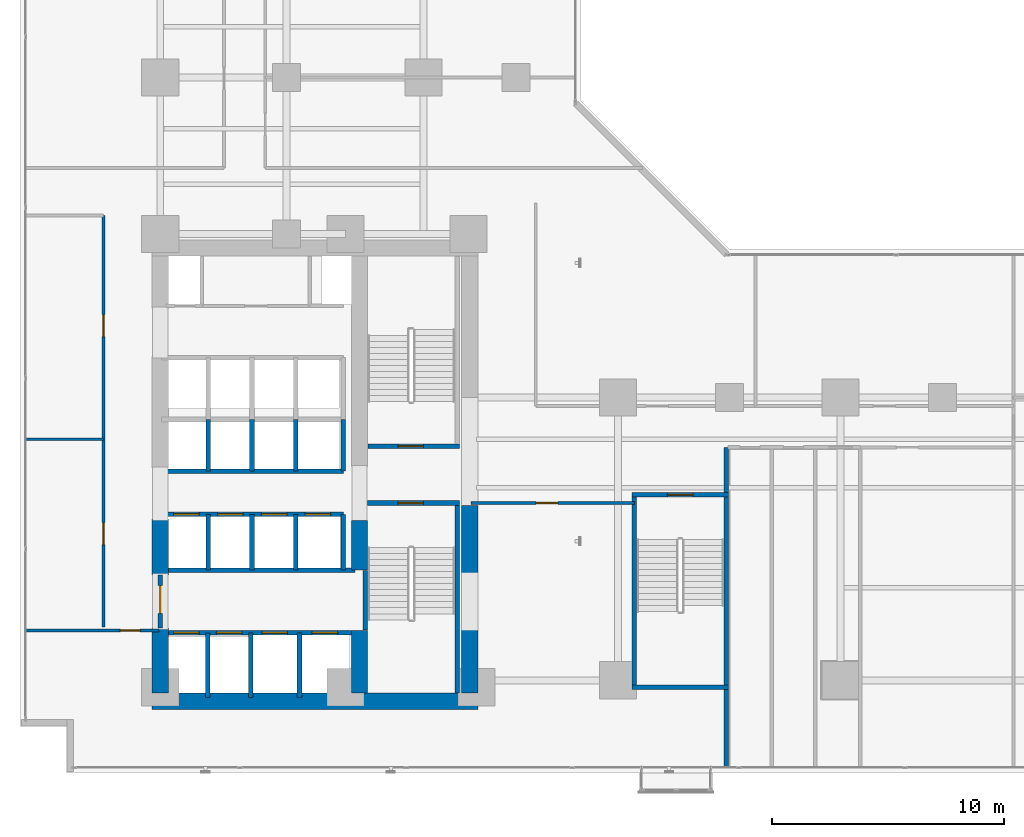
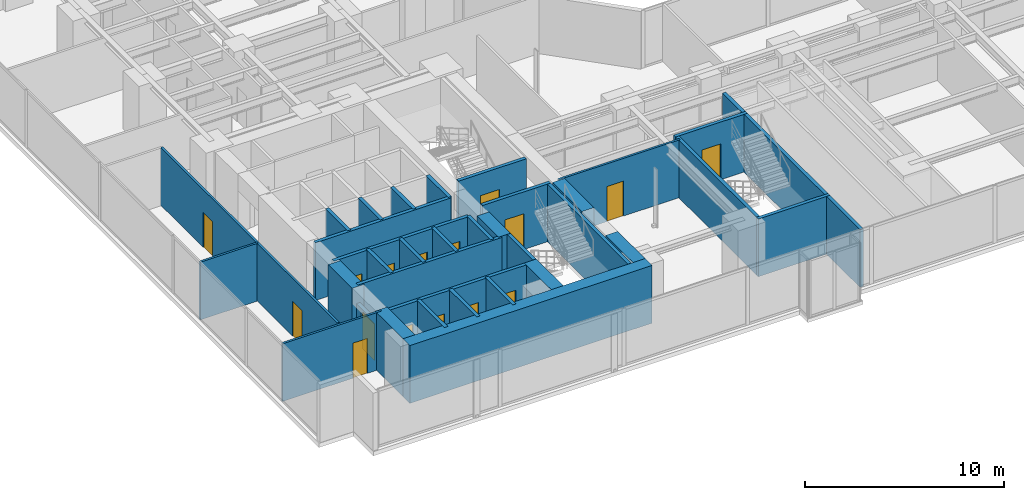
# One storey, part 22 of 27: 35 walls, 16 doors, 16 openings.
"""IFC4 building model written with IfcOpenShell, lengths in metres."""

from ifc_helpers import new_model, si_unit, direction, frame, frame_2d, origin, place, context, subcontext, project, spatial, rectangle, extrude, material, layer, layer_set, type_object, element, fill, save


model = new_model("IFC4")

# Units and contexts
model_context = context("Model", 3, precision=1e-05, world=origin(), true_north=direction((0.0, 1.0)))
body_context = subcontext(model_context, "Body", "Model", "MODEL_VIEW")
ifc_project = project(units=[si_unit("LENGTHUNIT", "METRE"), si_unit("AREAUNIT", "SQUARE_METRE"), si_unit("VOLUMEUNIT", "CUBIC_METRE"), si_unit("PLANEANGLEUNIT", "RADIAN"), si_unit("MASSUNIT", "GRAM", prefix="KILO")], contexts=[model_context])

# Site, building, storey
site_placement = place(None, origin())
site = spatial("IfcSite", under=ifc_project, at=site_placement, CompositionType="ELEMENT")
building_placement = place(site_placement, origin())
building = spatial("IfcBuilding", under=site, at=building_placement, Name="Kolvaren Waterfront Exchange", CompositionType="ELEMENT")
storey_placement = place(building_placement, frame((0.0, 0.0, 33.39990234375)))
storey = spatial("IfcBuildingStorey", under=building, at=storey_placement, Name="L08", CompositionType="ELEMENT", Elevation=33.39990234375)

# Wall, opening, door
ifc_material_1 = material(Name="Precast concrete C40/50", Category="concrete")
ifc_layer_1 = layer(ifc_material_1, 0.199951171875, Name="Precast concrete C40/50")
ifc_layer_set_1 = layer_set([ifc_layer_1], Name="Precast concrete C40/50")
wall_type_1 = type_object("IfcWallType", Name="ARC-FIRE-200", PredefinedType="PARTITIONING", material=ifc_layer_set_1)
wall_1_placement = place(storey_placement, frame((16.39990234375, 12.85009765625, 0.0), z_axis=(0.0, 0.0, 1.0), x_axis=(1.0, 0.0, 0.0)))
wall_1 = element("IfcWall", 1, at=wall_1_placement, inside=storey, type_object=wall_type_1, Name="L08 interior wall PW-L08-ST1-THROAT-S", PredefinedType="PARTITIONING", context=body_context, shape_type="SweptSolid", body=[
    extrude(rectangle(XDim=3.960205078125, YDim=0.199951171875, at=frame_2d((1.97998046875, 0.0))), origin(), (0.0, 0.0, 1.0), 3.5400390625),
])
opening_1_placement = place(wall_1_placement, frame((1.3037109375, 0.0, 0.0)))
opening_1 = element("IfcOpeningElement", 2, at=opening_1_placement, cuts=wall_1, Name="Opening FD2", PredefinedType="OPENING", context=body_context, shape_type="SweptSolid", body=[
    extrude(rectangle(XDim=1.10009765625, YDim=2.199951171875, at=frame_2d((0.550048828125, 1.10009765625))), frame((0.0, 0.10986328125, 0.0), z_axis=(0.0, -1.0, 0.0), x_axis=(1.0, 0.0, 0.0)), (0.0, 0.0, 1.0), 0.219970703125),
])
ifc_material_2 = material(Name="Pressed steel smoke-seal fire door", Category="steel")
door_type_1 = type_object("IfcDoorType", Name="ARC-FD-1100", OperationType="NOTDEFINED", PredefinedType="DOOR", material=ifc_material_2)
door_1_placement = place(opening_1_placement, frame((1.10009765625, 0.0, 0.0), z_axis=(0.0, 0.0, 1.0), x_axis=(-1.0, 0.0, 0.0)))
door_1 = element("IfcDoor", 3, at=door_1_placement, inside=storey, type_object=door_type_1, Name="L08 door DR-L08-ST1-IN (FD2)", OperationType="SINGLE_SWING_RIGHT", OverallHeight=2.199951171875, OverallWidth=1.10009765625, PredefinedType="DOOR", context=body_context, shape_type="SweptSolid", body=[
    extrude(rectangle(XDim=1.10009765625, YDim=2.199951171875, at=frame_2d((0.550048828125, 1.10009765625))), frame((0.0, 0.02490234375, 0.0), z_axis=(0.0, -1.0, 0.0), x_axis=(1.0, 0.0, 0.0)), (0.0, 0.0, 1.0), 0.050048828125),
])
fill(opening_1, door_1)

wall_2_placement = place(storey_placement, frame((16.409912109375, 15.300048828125, 0.0), z_axis=(0.0, 0.0, 1.0), x_axis=(1.0, 0.0, 0.0)))
wall_2 = element("IfcWall", 4, at=wall_2_placement, inside=storey, type_object=wall_type_1, Name="L08 interior wall PW-L08-ST2-THROAT-N", PredefinedType="PARTITIONING", context=body_context, shape_type="SweptSolid", body=[
    extrude(rectangle(XDim=3.9501953125, YDim=0.199951171875, at=frame_2d((1.97509765625, 0.0))), origin(), (0.0, 0.0, 1.0), 3.5400390625),
])
opening_2_placement = place(wall_2_placement, frame((1.293701171875, 0.0, 0.0)))
opening_2 = element("IfcOpeningElement", 5, at=opening_2_placement, cuts=wall_2, Name="Opening FD2", PredefinedType="OPENING", context=body_context, shape_type="SweptSolid", body=[
    extrude(rectangle(XDim=1.10009765625, YDim=2.199951171875, at=frame_2d((0.550048828125, 1.10009765625))), frame((0.0, 0.10986328125, 0.0), z_axis=(0.0, -1.0, 0.0), x_axis=(1.0, 0.0, 0.0)), (0.0, 0.0, 1.0), 0.219970703125),
])
door_2_placement = place(opening_2_placement, origin())
door_2 = element("IfcDoor", 6, at=door_2_placement, inside=storey, type_object=door_type_1, Name="L08 door DR-L08-ST2-IN (FD2)", OperationType="SINGLE_SWING_LEFT", OverallHeight=2.199951171875, OverallWidth=1.10009765625, PredefinedType="DOOR", context=body_context, shape_type="SweptSolid", body=[
    extrude(rectangle(XDim=1.10009765625, YDim=2.199951171875, at=frame_2d((0.550048828125, 1.10009765625))), frame((0.0, 0.02490234375, 0.0), z_axis=(0.0, -1.0, 0.0), x_axis=(1.0, 0.0, 0.0)), (0.0, 0.0, 1.0), 0.050048828125),
])
fill(opening_2, door_2)

# Wall
wall_3_placement = place(storey_placement, frame((7.5, 9.949951171875, 0.0), z_axis=(0.0, 0.0, 1.0), x_axis=(1.0, 0.0, 0.0)))
element("IfcWall", 7, at=wall_3_placement, inside=storey, type_object=wall_type_1, Name="L08 interior wall PW-L08-FF-N", PredefinedType="PARTITIONING", context=body_context, shape_type="SweptSolid", body=[
    extrude(rectangle(XDim=8.35009765625, YDim=0.199951171875, at=frame_2d((4.175048828125, 0.0))), origin(), (0.0, 0.0, 1.0), 3.5400390625),
])

# Wall, opening, door
wall_4_placement = place(storey_placement, frame((7.449951171875, 7.449951171875, 0.0), z_axis=(0.0, 0.0, 1.0), x_axis=(0.0, 1.0, 0.0)))
wall_4 = element("IfcWall", 8, at=wall_4_placement, inside=storey, type_object=wall_type_1, Name="L08 interior wall PW-L08-FF-W-DOOR", PredefinedType="PARTITIONING", context=body_context, shape_type="SweptSolid", body=[
    extrude(rectangle(XDim=2.300048828125, YDim=0.199951171875, at=frame_2d((1.14990234375, 0.0))), origin(), (0.0, 0.0, 1.0), 2.52001953125),
])
opening_3_placement = place(wall_4_placement, frame((0.63330078125, 0.0, 0.0)))
opening_3 = element("IfcOpeningElement", 9, at=opening_3_placement, cuts=wall_4, Name="Opening FD3", PredefinedType="OPENING", context=body_context, shape_type="SweptSolid", body=[
    extrude(rectangle(XDim=1.199951171875, YDim=2.25, at=frame_2d((0.60009765625, 1.125))), frame((0.0, 0.10986328125, 0.0), z_axis=(0.0, -1.0, 0.0), x_axis=(1.0, 0.0, 0.0)), (0.0, 0.0, 1.0), 0.219970703125),
])
ifc_material_3 = material(Name="Pressed steel fire door", Category="steel")
door_type_2 = type_object("IfcDoorType", Name="ARC-FD-1200", OperationType="NOTDEFINED", PredefinedType="DOOR", material=ifc_material_3)
door_3_placement = place(opening_3_placement, frame((1.199951171875, 0.0, 0.0), z_axis=(0.0, 0.0, 1.0), x_axis=(-1.0, 0.0, 0.0)))
door_3 = element("IfcDoor", 10, at=door_3_placement, inside=storey, type_object=door_type_2, Name="L08 door DR-L08-FF-OUT (FD3)", OperationType="SINGLE_SWING_LEFT", OverallHeight=2.25, OverallWidth=1.199951171875, PredefinedType="DOOR", context=body_context, shape_type="SweptSolid", body=[
    extrude(rectangle(XDim=1.199951171875, YDim=2.25, at=frame_2d((0.60009765625, 1.125))), frame((0.0, 0.02490234375, 0.0), z_axis=(0.0, -1.0, 0.0), x_axis=(1.0, 0.0, 0.0)), (0.0, 0.0, 1.0), 0.050048828125),
])
fill(opening_3, door_3)

ifc_material_4 = material(Name="Acoustic gypsum steel stud", Category="steel")
ifc_layer_2 = layer(ifc_material_4, 0.125, Name="Acoustic gypsum steel stud")
ifc_layer_set_2 = layer_set([ifc_layer_2], Name="Acoustic gypsum steel stud")
wall_type_2 = type_object("IfcWallType", Name="ARC-PART-125", PredefinedType="PARTITIONING", material=ifc_layer_set_2)
wall_5_placement = place(storey_placement, frame((1.639892578125, 7.35009765625, 0.0), z_axis=(0.0, 0.0, 1.0), x_axis=(1.0, 0.0, 0.0)))
wall_5 = element("IfcWall", 11, at=wall_5_placement, inside=storey, type_object=wall_type_2, Name="L08 interior wall PW-L08-SWC-N", PredefinedType="PARTITIONING", context=body_context, shape_type="SweptSolid", body=[
    extrude(rectangle(XDim=5.760009765625, YDim=0.125, at=frame_2d((2.8798828125, 0.0))), origin(), (0.0, 0.0, 1.0), 3.5400390625),
])
opening_4_placement = place(wall_5_placement, frame((4.086669921875, 0.0, 0.0)))
opening_4 = element("IfcOpeningElement", 12, at=opening_4_placement, cuts=wall_5, Name="Opening D01", PredefinedType="OPENING", context=body_context, shape_type="SweptSolid", body=[
    extrude(rectangle(XDim=0.85009765625, YDim=2.14990234375, at=frame_2d((0.425048828125, 1.074951171875))), frame((0.0, 0.072509765625, 0.0), z_axis=(0.0, -1.0, 0.0), x_axis=(1.0, 0.0, 0.0)), (0.0, 0.0, 1.0), 0.14501953125),
])
ifc_material_5 = material(Name="Oak veneer timber leaf", Category="wood")
door_type_3 = type_object("IfcDoorType", Name="ARC-DR-900", OperationType="NOTDEFINED", PredefinedType="DOOR", material=ifc_material_5)
door_4_placement = place(opening_4_placement, origin())
door_4 = element("IfcDoor", 13, at=door_4_placement, inside=storey, type_object=door_type_3, Name="L08 door DR-L08-SWC-D (D01)", OperationType="SINGLE_SWING_LEFT", OverallHeight=2.14990234375, OverallWidth=0.85009765625, PredefinedType="DOOR", context=body_context, shape_type="SweptSolid", body=[
    extrude(rectangle(XDim=0.85009765625, YDim=2.14990234375, at=frame_2d((0.425048828125, 1.074951171875))), frame((0.0, 0.02490234375, 0.0), z_axis=(0.0, -1.0, 0.0), x_axis=(1.0, 0.0, 0.0)), (0.0, 0.0, 1.0), 0.050048828125),
])
fill(opening_4, door_4)

# Wall, openings, doors
wall_6_placement = place(storey_placement, frame((5.0, 7.5, 0.0), z_axis=(0.0, 0.0, 1.0), x_axis=(0.0, 1.0, 0.0)))
wall_6 = element("IfcWall", 14, at=wall_6_placement, inside=storey, type_object=wall_type_2, Name="L08 interior wall PW-L08-WFLANK-E", PredefinedType="PARTITIONING", context=body_context, shape_type="SweptSolid", body=[
    extrude(rectangle(XDim=17.75, YDim=0.125, at=frame_2d((8.875, 0.0))), origin(), (0.0, 0.0, 1.0), 3.5400390625),
])
opening_5_placement = place(wall_6_placement, frame((3.550048828125, 0.0, 0.0)))
opening_5 = element("IfcOpeningElement", 15, at=opening_5_placement, cuts=wall_6, Name="Opening D02", PredefinedType="OPENING", context=body_context, shape_type="SweptSolid", body=[
    extrude(rectangle(XDim=0.949951171875, YDim=2.14990234375, at=frame_2d((0.47509765625, 1.074951171875))), frame((0.0, 0.072509765625, 0.0), z_axis=(0.0, -1.0, 0.0), x_axis=(1.0, 0.0, 0.0)), (0.0, 0.0, 1.0), 0.14501953125),
])
opening_6_placement = place(wall_6_placement, frame((12.52099609375, 0.0, 0.0)))
opening_6 = element("IfcOpeningElement", 16, at=opening_6_placement, cuts=wall_6, Name="Opening D02", PredefinedType="OPENING", context=body_context, shape_type="SweptSolid", body=[
    extrude(rectangle(XDim=0.949951171875, YDim=2.14990234375, at=frame_2d((0.47509765625, 1.074951171875))), frame((0.0, 0.072509765625, 0.0), z_axis=(0.0, -1.0, 0.0), x_axis=(1.0, 0.0, 0.0)), (0.0, 0.0, 1.0), 0.14501953125),
])
ifc_material_6 = material(Name="Oak veneer acoustic timber", Category="wood")
door_type_4 = type_object("IfcDoorType", Name="ARC-DR-950", OperationType="NOTDEFINED", PredefinedType="DOOR", material=ifc_material_6)
door_5_placement = place(opening_5_placement, origin())
door_5 = element("IfcDoor", 17, at=door_5_placement, inside=storey, type_object=door_type_4, Name="L08 door DR-L08-WFL1-D (D02)", OperationType="SINGLE_SWING_RIGHT", OverallHeight=2.14990234375, OverallWidth=0.949951171875, PredefinedType="DOOR", context=body_context, shape_type="SweptSolid", body=[
    extrude(rectangle(XDim=0.949951171875, YDim=2.14990234375, at=frame_2d((0.47509765625, 1.074951171875))), frame((0.0, 0.02490234375, 0.0), z_axis=(0.0, -1.0, 0.0), x_axis=(1.0, 0.0, 0.0)), (0.0, 0.0, 1.0), 0.050048828125),
])
fill(opening_5, door_5)
door_6_placement = place(opening_6_placement, origin())
door_6 = element("IfcDoor", 18, at=door_6_placement, inside=storey, type_object=door_type_4, Name="L08 door DR-L08-WFL2-D (D02)", OperationType="SINGLE_SWING_LEFT", OverallHeight=2.14990234375, OverallWidth=0.949951171875, PredefinedType="DOOR", context=body_context, shape_type="SweptSolid", body=[
    extrude(rectangle(XDim=0.949951171875, YDim=2.14990234375, at=frame_2d((0.47509765625, 1.074951171875))), frame((0.0, 0.02490234375, 0.0), z_axis=(0.0, -1.0, 0.0), x_axis=(1.0, 0.0, 0.0)), (0.0, 0.0, 1.0), 0.050048828125),
])
fill(opening_6, door_6)

# Wall
wall_7_placement = place(storey_placement, frame((1.639892578125, 15.60009765625, 0.0), z_axis=(0.0, 0.0, 1.0), x_axis=(1.0, 0.0, 0.0)))
element("IfcWall", 19, at=wall_7_placement, inside=storey, type_object=wall_type_2, Name="L08 interior wall PW-L08-WFLANK-MID", PredefinedType="PARTITIONING", context=body_context, shape_type="SweptSolid", body=[
    extrude(rectangle(XDim=3.360107421875, YDim=0.125, at=frame_2d((1.68017578125, 0.0))), origin(), (0.0, 0.0, 1.0), 3.5400390625),
])

# Wall, opening, door
wall_8_placement = place(storey_placement, frame((20.85009765625, 12.85009765625, 0.0), z_axis=(0.0, 0.0, 1.0), x_axis=(1.0, 0.0, 0.0)))
wall_8 = element("IfcWall", 20, at=wall_8_placement, inside=storey, type_object=wall_type_2, Name="L08 interior wall PW-L08-SWST3-N", PredefinedType="PARTITIONING", context=body_context, shape_type="SweptSolid", body=[
    extrude(rectangle(XDim=7.0498046875, YDim=0.125, at=frame_2d((3.52490234375, 0.0))), origin(), (0.0, 0.0, 1.0), 3.5400390625),
])
opening_7_placement = place(wall_8_placement, frame((2.800048828125, 0.0, 0.0)))
opening_7 = element("IfcOpeningElement", 21, at=opening_7_placement, cuts=wall_8, Name="Opening D02", PredefinedType="OPENING", context=body_context, shape_type="SweptSolid", body=[
    extrude(rectangle(XDim=0.949951171875, YDim=2.14990234375, at=frame_2d((0.47509765625, 1.074951171875))), frame((0.0, 0.072509765625, 0.0), z_axis=(0.0, -1.0, 0.0), x_axis=(1.0, 0.0, 0.0)), (0.0, 0.0, 1.0), 0.14501953125),
])
door_7_placement = place(opening_7_placement, origin())
door_7 = element("IfcDoor", 22, at=door_7_placement, inside=storey, type_object=door_type_4, Name="L08 door DR-L08-SWST3-D (D02)", OperationType="SINGLE_SWING_RIGHT", OverallHeight=2.14990234375, OverallWidth=0.949951171875, PredefinedType="DOOR", context=body_context, shape_type="SweptSolid", body=[
    extrude(rectangle(XDim=0.949951171875, YDim=2.14990234375, at=frame_2d((0.47509765625, 1.074951171875))), frame((0.0, 0.02490234375, 0.0), z_axis=(0.0, -1.0, 0.0), x_axis=(1.0, 0.0, 0.0)), (0.0, 0.0, 1.0), 0.050048828125),
])
fill(opening_7, door_7)

# Walls
ifc_material_7 = material(Name="Concrete C40/50", Category="concrete")
ifc_layer_3 = layer(ifc_material_7, 0.199951171875, Name="Concrete C40/50")
ifc_layer_set_3 = layer_set([ifc_layer_3], Name="Concrete C40/50")
wall_type_3 = type_object("IfcWallType", Name="ARC-SHAFT-200", PredefinedType="PARTITIONING", material=ifc_layer_set_3)
wall_9_placement = place(storey_placement, frame((16.300048828125, 7.360107421875, 0.0), z_axis=(0.0, 0.0, 1.0), x_axis=(0.0, 1.0, 0.0)))
element("IfcWall", 23, at=wall_9_placement, inside=storey, type_object=wall_type_3, Name="L08 structural stairwell wall PW-L08-ST1-W", PredefinedType="SHEAR", context=body_context, shape_type="SweptSolid", body=[
    extrude(rectangle(XDim=2.579833984375, YDim=0.199951171875, at=frame_2d((1.2900390625, 0.0))), origin(), (0.0, 0.0, 1.0), 3.5400390625),
])
wall_10_placement = place(storey_placement, frame((20.260009765625, 4.659912109375, 0.0), z_axis=(0.0, 0.0, 1.0), x_axis=(0.0, 1.0, 0.0)))
element("IfcWall", 24, at=wall_10_placement, inside=storey, type_object=wall_type_3, Name="L08 structural stairwell wall PW-L08-ST1-E", PredefinedType="SHEAR", context=body_context, shape_type="SweptSolid", body=[
    extrude(rectangle(XDim=8.090087890625, YDim=0.199951171875, at=frame_2d((4.044921875, 0.0))), origin(), (0.0, 0.0, 1.0), 3.5400390625),
])
wall_11_placement = place(storey_placement, frame((27.89990234375, 5.0, 0.0), z_axis=(0.0, 0.0, 1.0), x_axis=(0.0, 1.0, 0.0)))
element("IfcWall", 25, at=wall_11_placement, inside=storey, type_object=wall_type_3, Name="L08 structural stairwell wall PW-L08-ST3-W", PredefinedType="SHEAR", context=body_context, shape_type="SweptSolid", body=[
    extrude(rectangle(XDim=8.10009765625, YDim=0.199951171875, at=frame_2d((4.050048828125, 0.0))), origin(), (0.0, 0.0, 1.0), 3.5400390625),
])
wall_12_placement = place(storey_placement, frame((31.860107421875, 1.43994140625, 0.0), z_axis=(0.0, 0.0, 1.0), x_axis=(0.0, 1.0, 0.0)))
element("IfcWall", 26, at=wall_12_placement, inside=storey, type_object=wall_type_3, Name="L08 structural stairwell wall PW-L08-ST3-E", PredefinedType="SHEAR", context=body_context, shape_type="SweptSolid", body=[
    extrude(rectangle(XDim=13.81005859375, YDim=0.199951171875, at=frame_2d((6.905029296875, 0.0))), origin(), (0.0, 0.0, 1.0), 3.5400390625),
])
wall_13_placement = place(storey_placement, frame((27.800048828125, 4.89990234375, 0.0), z_axis=(0.0, 0.0, 1.0), x_axis=(1.0, 0.0, 0.0)))
element("IfcWall", 27, at=wall_13_placement, inside=storey, type_object=wall_type_3, Name="L08 structural stairwell wall PW-L08-ST3-S", PredefinedType="SHEAR", context=body_context, shape_type="SweptSolid", body=[
    extrude(rectangle(XDim=4.159912109375, YDim=0.199951171875, at=frame_2d((2.080078125, 0.0))), origin(), (0.0, 0.0, 1.0), 3.5400390625),
])

# Wall, opening, door
wall_14_placement = place(storey_placement, frame((27.800048828125, 13.199951171875, 0.0), z_axis=(0.0, 0.0, 1.0), x_axis=(1.0, 0.0, 0.0)))
wall_14 = element("IfcWall", 28, at=wall_14_placement, inside=storey, type_object=wall_type_3, Name="L08 structural stairwell wall PW-L08-ST3-N", PredefinedType="SHEAR", context=body_context, shape_type="SweptSolid", body=[
    extrude(rectangle(XDim=4.159912109375, YDim=0.199951171875, at=frame_2d((2.080078125, 0.0))), origin(), (0.0, 0.0, 1.0), 3.5400390625),
])
opening_8_placement = place(wall_14_placement, frame((1.530029296875, 0.0, 0.0)))
opening_8 = element("IfcOpeningElement", 29, at=opening_8_placement, cuts=wall_14, Name="Opening FD2", PredefinedType="OPENING", context=body_context, shape_type="SweptSolid", body=[
    extrude(rectangle(XDim=1.10009765625, YDim=2.199951171875, at=frame_2d((0.550048828125, 1.10009765625))), frame((0.0, 0.10986328125, 0.0), z_axis=(0.0, -1.0, 0.0), x_axis=(1.0, 0.0, 0.0)), (0.0, 0.0, 1.0), 0.219970703125),
])
door_8_placement = place(opening_8_placement, frame((1.10009765625, 0.0, 0.0), z_axis=(0.0, 0.0, 1.0), x_axis=(-1.0, 0.0, 0.0)))
door_8 = element("IfcDoor", 30, at=door_8_placement, inside=storey, type_object=door_type_1, Name="L08 door DR-L08-ST3-IN (FD2)", OperationType="SINGLE_SWING_RIGHT", OverallHeight=2.199951171875, OverallWidth=1.10009765625, PredefinedType="DOOR", context=body_context, shape_type="SweptSolid", body=[
    extrude(rectangle(XDim=1.10009765625, YDim=2.199951171875, at=frame_2d((0.550048828125, 1.10009765625))), frame((0.0, 0.02490234375, 0.0), z_axis=(0.0, -1.0, 0.0), x_axis=(1.0, 0.0, 0.0)), (0.0, 0.0, 1.0), 0.050048828125),
])
fill(opening_8, door_8)

# Wall, openings, doors
wall_15_placement = place(storey_placement, frame((7.5, 7.25, 0.0), z_axis=(0.0, 0.0, 1.0), x_axis=(1.0, 0.0, 0.0)))
wall_15 = element("IfcWall", 31, at=wall_15_placement, inside=storey, type_object=wall_type_3, Name="L08 interior wall PW-L08-FF-S", PredefinedType="PARTITIONING", context=body_context, shape_type="SweptSolid", body=[
    extrude(rectangle(XDim=8.35009765625, YDim=0.199951171875, at=frame_2d((4.175048828125, 0.0))), origin(), (0.0, 0.0, 1.0), 3.5400390625),
])
opening_9_placement = place(wall_15_placement, frame((0.530029296875, 0.0, 0.0)))
opening_9 = element("IfcOpeningElement", 32, at=opening_9_placement, cuts=wall_15, Name="Opening LD1", PredefinedType="OPENING", context=body_context, shape_type="SweptSolid", body=[
    extrude(rectangle(XDim=1.10009765625, YDim=2.199951171875, at=frame_2d((0.550048828125, 1.10009765625))), frame((0.0, 0.10986328125, 0.0), z_axis=(0.0, -1.0, 0.0), x_axis=(1.0, 0.0, 0.0)), (0.0, 0.0, 1.0), 0.219970703125),
])
opening_10_placement = place(wall_15_placement, frame((2.3701171875, 0.0, 0.0)))
opening_10 = element("IfcOpeningElement", 33, at=opening_10_placement, cuts=wall_15, Name="Opening LD1", PredefinedType="OPENING", context=body_context, shape_type="SweptSolid", body=[
    extrude(rectangle(XDim=1.10009765625, YDim=2.199951171875, at=frame_2d((0.550048828125, 1.10009765625))), frame((0.0, 0.10986328125, 0.0), z_axis=(0.0, -1.0, 0.0), x_axis=(1.0, 0.0, 0.0)), (0.0, 0.0, 1.0), 0.219970703125),
])
opening_11_placement = place(wall_15_placement, frame((4.330078125, 0.0, 0.0)))
opening_11 = element("IfcOpeningElement", 34, at=opening_11_placement, cuts=wall_15, Name="Opening LD1", PredefinedType="OPENING", context=body_context, shape_type="SweptSolid", body=[
    extrude(rectangle(XDim=1.10009765625, YDim=2.199951171875, at=frame_2d((0.550048828125, 1.10009765625))), frame((0.0, 0.10986328125, 0.0), z_axis=(0.0, -1.0, 0.0), x_axis=(1.0, 0.0, 0.0)), (0.0, 0.0, 1.0), 0.219970703125),
])
opening_12_placement = place(wall_15_placement, frame((6.5, 0.0, 0.0)))
opening_12 = element("IfcOpeningElement", 35, at=opening_12_placement, cuts=wall_15, Name="Opening LD1", PredefinedType="OPENING", context=body_context, shape_type="SweptSolid", body=[
    extrude(rectangle(XDim=1.10009765625, YDim=2.199951171875, at=frame_2d((0.550048828125, 1.10009765625))), frame((0.0, 0.10986328125, 0.0), z_axis=(0.0, -1.0, 0.0), x_axis=(1.0, 0.0, 0.0)), (0.0, 0.0, 1.0), 0.219970703125),
])
ifc_material_8 = material(Name="Stainless steel sliding landing door", Category="steel")
door_type_5 = type_object("IfcDoorType", Name="ARC-LD-FF", OperationType="SLIDING_TO_LEFT", PredefinedType="DOOR", material=ifc_material_8)
door_9_placement = place(opening_9_placement, origin())
door_9 = element("IfcDoor", 36, at=door_9_placement, inside=storey, type_object=door_type_5, Name="L08 door LD-L08-FFL1 (LD1)", OperationType="SLIDING_TO_LEFT", OverallHeight=2.199951171875, OverallWidth=1.10009765625, PredefinedType="DOOR", context=body_context, shape_type="SweptSolid", body=[
    extrude(rectangle(XDim=1.10009765625, YDim=2.199951171875, at=frame_2d((0.550048828125, 1.10009765625))), frame((0.0, 0.02490234375, 0.0), z_axis=(0.0, -1.0, 0.0), x_axis=(1.0, 0.0, 0.0)), (0.0, 0.0, 1.0), 0.050048828125),
])
fill(opening_9, door_9)
door_10_placement = place(opening_10_placement, origin())
door_10 = element("IfcDoor", 37, at=door_10_placement, inside=storey, type_object=door_type_5, Name="L08 door LD-L08-FFL2 (LD1)", OperationType="SLIDING_TO_LEFT", OverallHeight=2.199951171875, OverallWidth=1.10009765625, PredefinedType="DOOR", context=body_context, shape_type="SweptSolid", body=[
    extrude(rectangle(XDim=1.10009765625, YDim=2.199951171875, at=frame_2d((0.550048828125, 1.10009765625))), frame((0.0, 0.02490234375, 0.0), z_axis=(0.0, -1.0, 0.0), x_axis=(1.0, 0.0, 0.0)), (0.0, 0.0, 1.0), 0.050048828125),
])
fill(opening_10, door_10)
door_11_placement = place(opening_11_placement, origin())
door_11 = element("IfcDoor", 38, at=door_11_placement, inside=storey, type_object=door_type_5, Name="L08 door LD-L08-GL1 (LD1)", OperationType="SLIDING_TO_LEFT", OverallHeight=2.199951171875, OverallWidth=1.10009765625, PredefinedType="DOOR", context=body_context, shape_type="SweptSolid", body=[
    extrude(rectangle(XDim=1.10009765625, YDim=2.199951171875, at=frame_2d((0.550048828125, 1.10009765625))), frame((0.0, 0.02490234375, 0.0), z_axis=(0.0, -1.0, 0.0), x_axis=(1.0, 0.0, 0.0)), (0.0, 0.0, 1.0), 0.050048828125),
])
fill(opening_11, door_11)
door_12_placement = place(opening_12_placement, origin())
door_12 = element("IfcDoor", 39, at=door_12_placement, inside=storey, type_object=door_type_5, Name="L08 door LD-L08-GL2 (LD1)", OperationType="SLIDING_TO_LEFT", OverallHeight=2.199951171875, OverallWidth=1.10009765625, PredefinedType="DOOR", context=body_context, shape_type="SweptSolid", body=[
    extrude(rectangle(XDim=1.10009765625, YDim=2.199951171875, at=frame_2d((0.550048828125, 1.10009765625))), frame((0.0, 0.02490234375, 0.0), z_axis=(0.0, -1.0, 0.0), x_axis=(1.0, 0.0, 0.0)), (0.0, 0.0, 1.0), 0.050048828125),
])
fill(opening_12, door_12)

# Walls
for number, where, z_axis, x_axis, name in (
    (40, (9.5, 4.449951171875, 0.0), (0.0, 0.0, 1.0), (0.0, 1.0, 0.0), "L08 interior wall PW-L08-SH1-DIV-95"),
    (41, (11.360107421875, 4.449951171875, 0.0), (0.0, 0.0, 1.0), (0.0, 1.0, 0.0), "L08 interior wall PW-L08-SH1-DIV-113"),
    (42, (13.4599609375, 4.449951171875, 0.0), (0.0, 0.0, 1.0), (0.0, 1.0, 0.0), "L08 interior wall PW-L08-SH1-DIV-134"),
):
    element("IfcWall", number, at=place(storey_placement, frame(where, z_axis=z_axis, x_axis=x_axis)), inside=storey, type_object=wall_type_3, Name=name, PredefinedType="PARTITIONING", context=body_context, shape_type="SweptSolid", body=[
        extrude(rectangle(XDim=2.800048828125, YDim=0.199951171875, at=frame_2d((1.39990234375, 0.0))), origin(), (0.0, 0.0, 1.0), 3.5400390625),
    ])

# Wall, openings, doors
wall_16_placement = place(storey_placement, frame((7.5, 12.360107421875, 0.0), z_axis=(0.0, 0.0, 1.0), x_axis=(1.0, 0.0, 0.0)))
wall_16 = element("IfcWall", 43, at=wall_16_placement, inside=storey, type_object=wall_type_3, Name="L08 interior wall PW-L08-PL-N", PredefinedType="PARTITIONING", context=body_context, shape_type="SweptSolid", body=[
    extrude(rectangle(XDim=7.85009765625, YDim=0.199951171875, at=frame_2d((3.925048828125, 0.0))), origin(), (0.0, 0.0, 1.0), 3.5400390625),
])
opening_13_placement = place(wall_16_placement, frame((0.530029296875, 0.0, 0.0)))
opening_13 = element("IfcOpeningElement", 44, at=opening_13_placement, cuts=wall_16, Name="Opening LD2", PredefinedType="OPENING", context=body_context, shape_type="SweptSolid", body=[
    extrude(rectangle(XDim=1.10009765625, YDim=2.199951171875, at=frame_2d((0.550048828125, 1.10009765625))), frame((0.0, 0.10986328125, 0.0), z_axis=(0.0, -1.0, 0.0), x_axis=(1.0, 0.0, 0.0)), (0.0, 0.0, 1.0), 0.219970703125),
])
opening_14_placement = place(wall_16_placement, frame((2.419921875, 0.0, 0.0)))
opening_14 = element("IfcOpeningElement", 45, at=opening_14_placement, cuts=wall_16, Name="Opening LD2", PredefinedType="OPENING", context=body_context, shape_type="SweptSolid", body=[
    extrude(rectangle(XDim=1.10009765625, YDim=2.199951171875, at=frame_2d((0.550048828125, 1.10009765625))), frame((0.0, 0.10986328125, 0.0), z_axis=(0.0, -1.0, 0.0), x_axis=(1.0, 0.0, 0.0)), (0.0, 0.0, 1.0), 0.219970703125),
])
opening_15_placement = place(wall_16_placement, frame((4.31005859375, 0.0, 0.0)))
opening_15 = element("IfcOpeningElement", 46, at=opening_15_placement, cuts=wall_16, Name="Opening LD2", PredefinedType="OPENING", context=body_context, shape_type="SweptSolid", body=[
    extrude(rectangle(XDim=1.10009765625, YDim=2.199951171875, at=frame_2d((0.550048828125, 1.10009765625))), frame((0.0, 0.10986328125, 0.0), z_axis=(0.0, -1.0, 0.0), x_axis=(1.0, 0.0, 0.0)), (0.0, 0.0, 1.0), 0.219970703125),
])
opening_16_placement = place(wall_16_placement, frame((6.199951171875, 0.0, 0.0)))
opening_16 = element("IfcOpeningElement", 47, at=opening_16_placement, cuts=wall_16, Name="Opening LD2", PredefinedType="OPENING", context=body_context, shape_type="SweptSolid", body=[
    extrude(rectangle(XDim=1.10009765625, YDim=2.199951171875, at=frame_2d((0.550048828125, 1.10009765625))), frame((0.0, 0.10986328125, 0.0), z_axis=(0.0, -1.0, 0.0), x_axis=(1.0, 0.0, 0.0)), (0.0, 0.0, 1.0), 0.219970703125),
])
ifc_material_9 = material(Name="Brushed bronze sliding landing door", Category="aluminium")
door_type_6 = type_object("IfcDoorType", Name="ARC-LD-PAX", OperationType="SLIDING_TO_LEFT", PredefinedType="DOOR", material=ifc_material_9)
door_13_placement = place(opening_13_placement, origin())
door_13 = element("IfcDoor", 48, at=door_13_placement, inside=storey, type_object=door_type_6, Name="L08 door LD-L08-PL1 (LD2)", OperationType="SLIDING_TO_LEFT", OverallHeight=2.199951171875, OverallWidth=1.10009765625, PredefinedType="DOOR", context=body_context, shape_type="SweptSolid", body=[
    extrude(rectangle(XDim=1.10009765625, YDim=2.199951171875, at=frame_2d((0.550048828125, 1.10009765625))), frame((0.0, 0.02490234375, 0.0), z_axis=(0.0, -1.0, 0.0), x_axis=(1.0, 0.0, 0.0)), (0.0, 0.0, 1.0), 0.050048828125),
])
fill(opening_13, door_13)
door_14_placement = place(opening_14_placement, origin())
door_14 = element("IfcDoor", 49, at=door_14_placement, inside=storey, type_object=door_type_6, Name="L08 door LD-L08-PL2 (LD2)", OperationType="SLIDING_TO_LEFT", OverallHeight=2.199951171875, OverallWidth=1.10009765625, PredefinedType="DOOR", context=body_context, shape_type="SweptSolid", body=[
    extrude(rectangle(XDim=1.10009765625, YDim=2.199951171875, at=frame_2d((0.550048828125, 1.10009765625))), frame((0.0, 0.02490234375, 0.0), z_axis=(0.0, -1.0, 0.0), x_axis=(1.0, 0.0, 0.0)), (0.0, 0.0, 1.0), 0.050048828125),
])
fill(opening_14, door_14)
door_15_placement = place(opening_15_placement, origin())
door_15 = element("IfcDoor", 50, at=door_15_placement, inside=storey, type_object=door_type_6, Name="L08 door LD-L08-PL3 (LD2)", OperationType="SLIDING_TO_LEFT", OverallHeight=2.199951171875, OverallWidth=1.10009765625, PredefinedType="DOOR", context=body_context, shape_type="SweptSolid", body=[
    extrude(rectangle(XDim=1.10009765625, YDim=2.199951171875, at=frame_2d((0.550048828125, 1.10009765625))), frame((0.0, 0.02490234375, 0.0), z_axis=(0.0, -1.0, 0.0), x_axis=(1.0, 0.0, 0.0)), (0.0, 0.0, 1.0), 0.050048828125),
])
fill(opening_15, door_15)
door_16_placement = place(opening_16_placement, origin())
door_16 = element("IfcDoor", 51, at=door_16_placement, inside=storey, type_object=door_type_6, Name="L08 door LD-L08-PL4 (LD2)", OperationType="SLIDING_TO_LEFT", OverallHeight=2.199951171875, OverallWidth=1.10009765625, PredefinedType="DOOR", context=body_context, shape_type="SweptSolid", body=[
    extrude(rectangle(XDim=1.10009765625, YDim=2.199951171875, at=frame_2d((0.550048828125, 1.10009765625))), frame((0.0, 0.02490234375, 0.0), z_axis=(0.0, -1.0, 0.0), x_axis=(1.0, 0.0, 0.0)), (0.0, 0.0, 1.0), 0.050048828125),
])
fill(opening_16, door_16)

# Walls
for number, where, z_axis, x_axis, name in (
    (52, (15.35009765625, 9.949951171875, 0.0), (0.0, 0.0, 1.0), (0.0, 1.0, 0.0), "L08 interior wall PW-L08-PL-E"),
    (53, (9.52001953125, 9.949951171875, 0.0), (0.0, 0.0, 1.0), (0.0, 1.0, 0.0), "L08 interior wall PW-L08-SH2-DIV-95"),
    (54, (11.409912109375, 9.949951171875, 0.0), (0.0, 0.0, 1.0), (0.0, 1.0, 0.0), "L08 interior wall PW-L08-SH2-DIV-114"),
    (55, (13.300048828125, 9.949951171875, 0.0), (0.0, 0.0, 1.0), (0.0, 1.0, 0.0), "L08 interior wall PW-L08-SH2-DIV-133"),
):
    element("IfcWall", number, at=place(storey_placement, frame(where, z_axis=z_axis, x_axis=x_axis)), inside=storey, type_object=wall_type_3, Name=name, PredefinedType="PARTITIONING", context=body_context, shape_type="SweptSolid", body=[
        extrude(rectangle(XDim=2.41015625, YDim=0.199951171875, at=frame_2d((1.205078125, 0.0))), origin(), (0.0, 0.0, 1.0), 3.5400390625),
    ])
wall_17_placement = place(storey_placement, frame((7.5, 14.219970703125, 0.0), z_axis=(0.0, 0.0, 1.0), x_axis=(1.0, 0.0, 0.0)))
element("IfcWall", 56, at=wall_17_placement, inside=storey, type_object=wall_type_3, Name="L08 interior wall PW-L08-PM-S", PredefinedType="PARTITIONING", context=body_context, shape_type="SweptSolid", body=[
    extrude(rectangle(XDim=7.85009765625, YDim=0.199951171875, at=frame_2d((3.925048828125, 0.0))), origin(), (0.0, 0.0, 1.0), 3.5400390625),
])
for number, where, z_axis, x_axis, name in (
    (57, (15.35009765625, 14.219970703125, 0.0), (0.0, 0.0, 1.0), (0.0, 1.0, 0.0), "L08 interior wall PW-L08-PM-E"),
    (58, (9.52001953125, 14.219970703125, 0.0), (0.0, 0.0, 1.0), (0.0, 1.0, 0.0), "L08 interior wall PW-L08-SH3-DIV-95"),
    (59, (11.409912109375, 14.219970703125, 0.0), (0.0, 0.0, 1.0), (0.0, 1.0, 0.0), "L08 interior wall PW-L08-SH3-DIV-114"),
    (60, (13.300048828125, 14.219970703125, 0.0), (0.0, 0.0, 1.0), (0.0, 1.0, 0.0), "L08 interior wall PW-L08-SH3-DIV-133"),
):
    element("IfcWall", number, at=place(storey_placement, frame(where, z_axis=z_axis, x_axis=x_axis)), inside=storey, type_object=wall_type_3, Name=name, PredefinedType="PARTITIONING", context=body_context, shape_type="SweptSolid", body=[
        extrude(rectangle(XDim=2.22998046875, YDim=0.199951171875, at=frame_2d((1.114990234375, 0.0))), origin(), (0.0, 0.0, 1.0), 3.5400390625),
    ])
ifc_material_10 = material(Name="Concrete C70/85", Category="concrete")
ifc_layer_4 = layer(ifc_material_10, 0.699951171875, Name="Concrete C70/85")
ifc_layer_set_4 = layer_set([ifc_layer_4], Name="Concrete C70/85")
wall_type_4 = type_object("IfcWallType", Name="STR-CWALL-700", PredefinedType="SHEAR", material=ifc_layer_set_4)
wall_18_placement = place(storey_placement, frame((7.10009765625, 4.300048828125, 0.0), z_axis=(0.0, 0.0, 1.0), x_axis=(1.0, 0.0, 0.0)))
element("IfcWall", 61, at=wall_18_placement, inside=storey, type_object=wall_type_4, Name="L08 rear-core shear wall S", PredefinedType="SHEAR", context=body_context, shape_type="SweptSolid", body=[
    extrude(rectangle(XDim=14.0498046875, YDim=0.699951171875, at=frame_2d((7.02490234375, 0.0))), origin(), (0.0, 0.0, 1.0), 3.5400390625),
])
wall_19_placement = place(storey_placement, frame((7.449951171875, 4.64990234375, 0.0), z_axis=(0.0, 0.0, 1.0), x_axis=(0.0, 1.0, 0.0)))
element("IfcWall", 62, at=wall_19_placement, inside=storey, type_object=wall_type_4, Name="L08 rear-core shear wall W1", PredefinedType="SHEAR", context=body_context, shape_type="SweptSolid", body=[
    extrude(rectangle(XDim=2.800048828125, YDim=0.699951171875, at=frame_2d((1.39990234375, 0.0))), origin(), (0.0, 0.0, 1.0), 3.5400390625),
])
wall_20_placement = place(storey_placement, frame((7.449951171875, 9.75, 0.0), z_axis=(0.0, 0.0, 1.0), x_axis=(0.0, 1.0, 0.0)))
element("IfcWall", 63, at=wall_20_placement, inside=storey, type_object=wall_type_4, Name="L08 rear-core shear wall W2A", PredefinedType="SHEAR", context=body_context, shape_type="SweptSolid", body=[
    extrude(rectangle(XDim=2.39990234375, YDim=0.699951171875, at=frame_2d((1.199951171875, 0.0))), origin(), (0.0, 0.0, 1.0), 3.5400390625),
])
wall_21_placement = place(storey_placement, frame((20.800048828125, 4.64990234375, 0.0), z_axis=(0.0, 0.0, 1.0), x_axis=(0.0, 1.0, 0.0)))
element("IfcWall", 64, at=wall_21_placement, inside=storey, type_object=wall_type_4, Name="L08 rear-core shear wall E1", PredefinedType="SHEAR", context=body_context, shape_type="SweptSolid", body=[
    extrude(rectangle(XDim=2.75, YDim=0.699951171875, at=frame_2d((1.375, 0.0))), origin(), (0.0, 0.0, 1.0), 3.5400390625),
])
wall_22_placement = place(storey_placement, frame((20.800048828125, 9.800048828125, 0.0), z_axis=(0.0, 0.0, 1.0), x_axis=(0.0, 1.0, 0.0)))
element("IfcWall", 65, at=wall_22_placement, inside=storey, type_object=wall_type_4, Name="L08 rear-core shear wall E2", PredefinedType="SHEAR", context=body_context, shape_type="SweptSolid", body=[
    extrude(rectangle(XDim=2.949951171875, YDim=0.699951171875, at=frame_2d((1.47509765625, 0.0))), origin(), (0.0, 0.0, 1.0), 3.5400390625),
])
wall_23_placement = place(storey_placement, frame((16.050048828125, 4.64990234375, 0.0), z_axis=(0.0, 0.0, 1.0), x_axis=(0.0, 1.0, 0.0)))
element("IfcWall", 66, at=wall_23_placement, inside=storey, type_object=wall_type_4, Name="L08 rear-core shear wall M1", PredefinedType="SHEAR", context=body_context, shape_type="SweptSolid", body=[
    extrude(rectangle(XDim=2.7001953125, YDim=0.699951171875, at=frame_2d((1.35009765625, 0.0))), origin(), (0.0, 0.0, 1.0), 3.5400390625),
])
wall_24_placement = place(storey_placement, frame((16.050048828125, 9.949951171875, 0.0), z_axis=(0.0, 0.0, 1.0), x_axis=(0.0, 1.0, 0.0)))
element("IfcWall", 67, at=wall_24_placement, inside=storey, type_object=wall_type_4, Name="L08 rear-core shear wall M2", PredefinedType="SHEAR", context=body_context, shape_type="SweptSolid", body=[
    extrude(rectangle(XDim=2.150146484375, YDim=0.699951171875, at=frame_2d((1.0751953125, 0.0))), origin(), (0.0, 0.0, 1.0), 3.5400390625),
])

save(model, "model.ifc")
